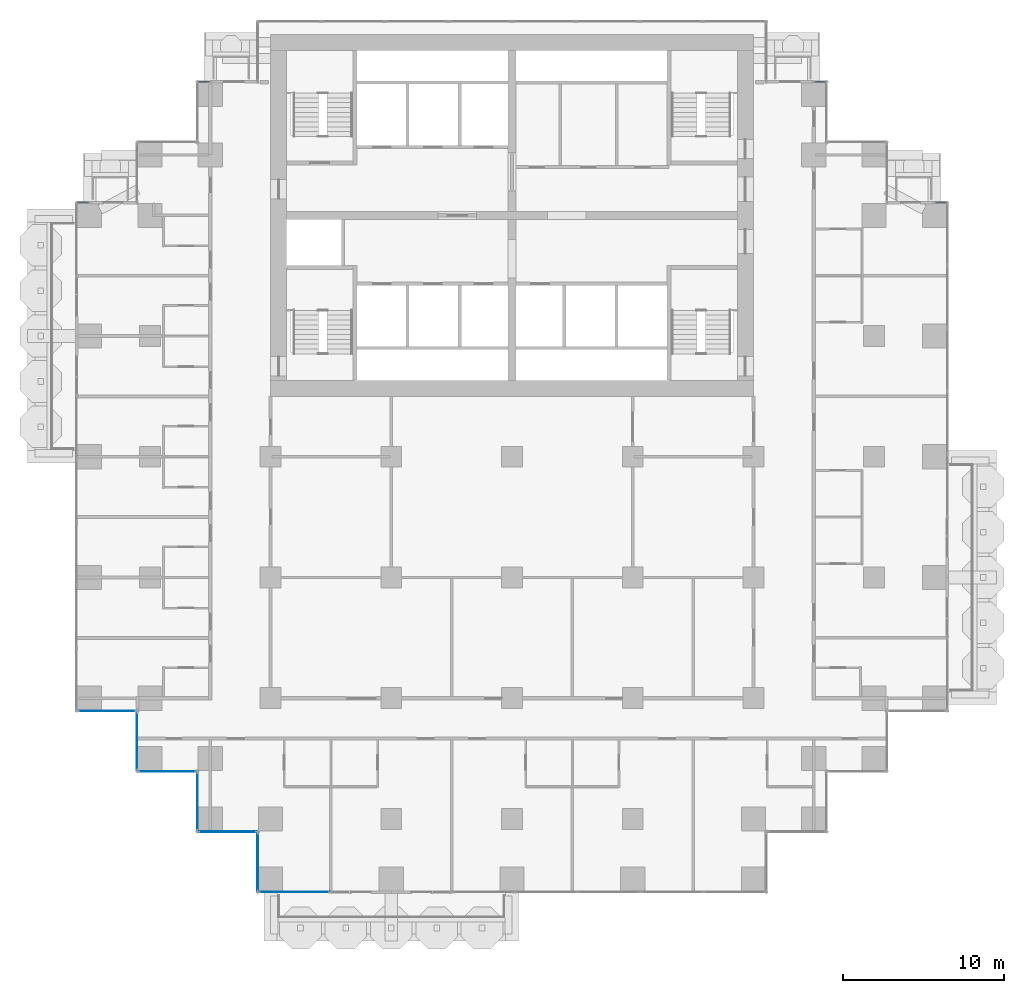
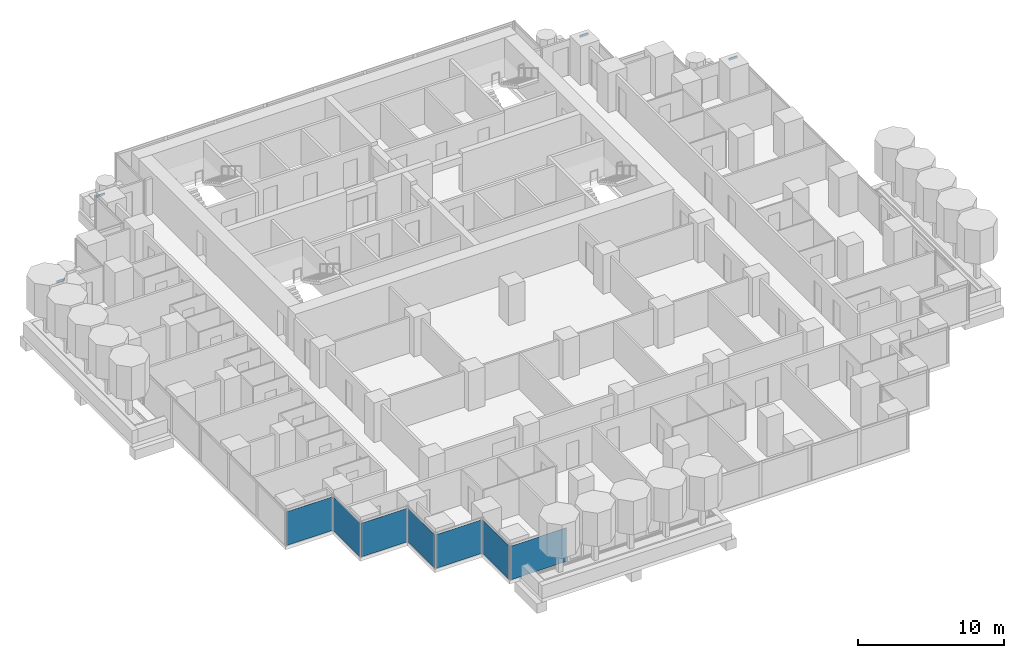
# One storey, part 7 of 18: 7 plates, 4 members, 11 elements without a shape of their own.
"""IFC4 building model written with IfcOpenShell, lengths in metres."""

from ifc_helpers import new_model, si_unit, direction, frame, origin, origin_2d, place, context, subcontext, project, spatial, rectangle, extrude, material, layer, layer_set, material_profile, profile_set, type_object, element, aggregate, save


model = new_model("IFC4")

# Units and contexts
model_context = context("Model", 3, precision=1e-05, world=origin(), true_north=direction((0.0, 1.0)))
body_context = subcontext(model_context, "Body", "Model", "MODEL_VIEW")
ifc_project = project(units=[si_unit("LENGTHUNIT", "METRE"), si_unit("AREAUNIT", "SQUARE_METRE"), si_unit("VOLUMEUNIT", "CUBIC_METRE"), si_unit("PLANEANGLEUNIT", "RADIAN"), si_unit("MASSUNIT", "GRAM", prefix="KILO")], contexts=[model_context])

# Site, building, storey
site_placement = place(None, origin())
site = spatial("IfcSite", under=ifc_project, at=site_placement, CompositionType="ELEMENT")
building_placement = place(site_placement, origin())
building = spatial("IfcBuilding", under=site, at=building_placement, Name="Pilkhan Gate Tower", CompositionType="ELEMENT")
storey_placement = place(building_placement, frame((0.0, 0.0, 75.800048828125)))
storey = spatial("IfcBuildingStorey", under=building, at=storey_placement, Name="L17", CompositionType="ELEMENT", Elevation=75.800048828125)

# Curtain wall, member
ifc_material_1 = material(Name="Pale anodised aluminium, clear low-iron double glazing", Category="aluminium")
curtain_wall_type = type_object("IfcCurtainWallType", Name="Hotel unitised curtain wall CW-H", PredefinedType="USERDEFINED", material=ifc_material_1)
curtain_wall_1_placement = place(storey_placement, origin())
curtain_wall_1 = element("IfcCurtainWall", 1, at=curtain_wall_1_placement, inside=storey, type_object=curtain_wall_type, Name="Hotel unitised curtain wall CW-H L17 N", ObjectType="UNITISED CURTAIN WALL", PredefinedType="USERDEFINED")
ifc_material_2 = material(Name="Pale anodised aluminium", Category="aluminium")
ifc_material_profile = material_profile(ifc_material_2, rectangle(XDim=0.06494140625, YDim=0.179931640625, at=origin_2d()), Name="Transom 180x65")
ifc_profile_set = profile_set([ifc_material_profile], Name="Pale anodised aluminium")
member_type = type_object("IfcMemberType", Name="Transom CW-H 180x65", PredefinedType="USERDEFINED", material=ifc_profile_set)
member_1_placement = place(storey_placement, frame((101.31494140625, 83.294921875, 2.909912109375), z_axis=(1.0, 0.0, 0.0), x_axis=(0.0, 1.0, 0.0)))
member_1 = element("IfcMember", 2, at=member_1_placement, type_object=member_type, Name="CW-H transom 1", ObjectType="TRANSOM", PredefinedType="USERDEFINED", context=body_context, shape_type="SweptSolid", body=[
    extrude(rectangle(XDim=0.06494140625, YDim=0.179931640625, at=origin_2d()), origin(), (0.0, 0.0, 1.0), 0.6650390625),
])
aggregate(curtain_wall_1, [member_1])

curtain_wall_2_placement = place(storey_placement, origin())
curtain_wall_2 = element("IfcCurtainWall", 3, at=curtain_wall_2_placement, inside=storey, type_object=curtain_wall_type, Name="Hotel unitised curtain wall CW-H L17 N", ObjectType="UNITISED CURTAIN WALL", PredefinedType="USERDEFINED")
member_2_placement = place(storey_placement, frame((93.81494140625, 90.794921875, 2.909912109375), z_axis=(1.0, 0.0, 0.0), x_axis=(0.0, 1.0, 0.0)))
member_2 = element("IfcMember", 4, at=member_2_placement, type_object=member_type, Name="CW-H transom 1", ObjectType="TRANSOM", PredefinedType="USERDEFINED", context=body_context, shape_type="SweptSolid", body=[
    extrude(rectangle(XDim=0.06494140625, YDim=0.179931640625, at=origin_2d()), origin(), (0.0, 0.0, 1.0), 0.6650390625),
])
aggregate(curtain_wall_2, [member_2])

curtain_wall_3_placement = place(storey_placement, origin())
curtain_wall_3 = element("IfcCurtainWall", 5, at=curtain_wall_3_placement, inside=storey, type_object=curtain_wall_type, Name="Hotel unitised curtain wall CW-H L17 N", ObjectType="UNITISED CURTAIN WALL", PredefinedType="USERDEFINED")
member_3_placement = place(storey_placement, frame((55.52001953125, 90.794921875, 2.909912109375), z_axis=(1.0, 0.0, 0.0), x_axis=(0.0, 1.0, 0.0)))
member_3 = element("IfcMember", 6, at=member_3_placement, type_object=member_type, Name="CW-H transom 1", ObjectType="TRANSOM", PredefinedType="USERDEFINED", context=body_context, shape_type="SweptSolid", body=[
    extrude(rectangle(XDim=0.06494140625, YDim=0.179931640625, at=origin_2d()), origin(), (0.0, 0.0, 1.0), 0.6650390625),
])
aggregate(curtain_wall_3, [member_3])

curtain_wall_4_placement = place(storey_placement, origin())
curtain_wall_4 = element("IfcCurtainWall", 7, at=curtain_wall_4_placement, inside=storey, type_object=curtain_wall_type, Name="Hotel unitised curtain wall CW-H L17 N", ObjectType="UNITISED CURTAIN WALL", PredefinedType="USERDEFINED")
member_4_placement = place(storey_placement, frame((48.02001953125, 83.294921875, 2.909912109375), z_axis=(1.0, 0.0, 0.0), x_axis=(0.0, 1.0, 0.0)))
member_4 = element("IfcMember", 8, at=member_4_placement, type_object=member_type, Name="CW-H transom 1", ObjectType="TRANSOM", PredefinedType="USERDEFINED", context=body_context, shape_type="SweptSolid", body=[
    extrude(rectangle(XDim=0.06494140625, YDim=0.179931640625, at=origin_2d()), origin(), (0.0, 0.0, 1.0), 0.6650390625),
])
aggregate(curtain_wall_4, [member_4])

# Curtain wall, plate
curtain_wall_5_placement = place(storey_placement, origin())
curtain_wall_5 = element("IfcCurtainWall", 9, at=curtain_wall_5_placement, inside=storey, type_object=curtain_wall_type, Name="Hotel unitised curtain wall CW-H L17 S", ObjectType="UNITISED CURTAIN WALL", PredefinedType="USERDEFINED")
ifc_material_3 = material(Name="Clear low-iron double glazing", Category="glass")
ifc_layer = layer(ifc_material_3, 0.035888671875)
ifc_layer_set = layer_set([ifc_layer], Name="Glass panel CW-H 36")
plate_type = type_object("IfcPlateType", Name="Glass panel CW-H 36", PredefinedType="CURTAIN_PANEL", material=ifc_layer_set)
plate_1_placement = place(storey_placement, frame((49.830078125, 51.705078125, 0.0), z_axis=(0.0, 0.0, 1.0), x_axis=(1.0, 0.0, 0.0)))
plate_1 = element("IfcPlate", 10, at=plate_1_placement, type_object=plate_type, Name="CW-H panel 1", PredefinedType="CURTAIN_PANEL", context=body_context, shape_type="SweptSolid", body=[
    extrude(rectangle(XDim=3.6201171875, YDim=0.035888671875, at=origin_2d()), origin(), (0.0, 0.0, 1.0), 2.820068359375),
])
aggregate(curtain_wall_5, [plate_1])

curtain_wall_6_placement = place(storey_placement, origin())
curtain_wall_6 = element("IfcCurtainWall", 11, at=curtain_wall_6_placement, inside=storey, type_object=curtain_wall_type, Name="Hotel unitised curtain wall CW-H L17 W", ObjectType="UNITISED CURTAIN WALL", PredefinedType="USERDEFINED")
plate_2_placement = place(storey_placement, frame((51.705078125, 49.830078125, 0.0), z_axis=(0.0, 0.0, 1.0), x_axis=(0.0, 1.0, 0.0)))
plate_2 = element("IfcPlate", 12, at=plate_2_placement, type_object=plate_type, Name="CW-H panel 1", PredefinedType="CURTAIN_PANEL", context=body_context, shape_type="SweptSolid", body=[
    extrude(rectangle(XDim=3.6201171875, YDim=0.035888671875, at=origin_2d()), origin(), (0.0, 0.0, 1.0), 2.820068359375),
])
aggregate(curtain_wall_6, [plate_2])

curtain_wall_7_placement = place(storey_placement, origin())
curtain_wall_7 = element("IfcCurtainWall", 13, at=curtain_wall_7_placement, inside=storey, type_object=curtain_wall_type, Name="Hotel unitised curtain wall CW-H L17 S", ObjectType="UNITISED CURTAIN WALL", PredefinedType="USERDEFINED")
plate_3_placement = place(storey_placement, frame((53.580078125, 47.955078125, 0.0), z_axis=(0.0, 0.0, 1.0), x_axis=(1.0, 0.0, 0.0)))
plate_3 = element("IfcPlate", 14, at=plate_3_placement, type_object=plate_type, Name="CW-H panel 1", PredefinedType="CURTAIN_PANEL", context=body_context, shape_type="SweptSolid", body=[
    extrude(rectangle(XDim=3.6201171875, YDim=0.035888671875, at=origin_2d()), origin(), (0.0, 0.0, 1.0), 2.820068359375),
])
aggregate(curtain_wall_7, [plate_3])

curtain_wall_8_placement = place(storey_placement, origin())
curtain_wall_8 = element("IfcCurtainWall", 15, at=curtain_wall_8_placement, inside=storey, type_object=curtain_wall_type, Name="Hotel unitised curtain wall CW-H L17 W", ObjectType="UNITISED CURTAIN WALL", PredefinedType="USERDEFINED")
plate_4_placement = place(storey_placement, frame((55.455078125, 46.080078125, 0.0), z_axis=(0.0, 0.0, 1.0), x_axis=(0.0, 1.0, 0.0)))
plate_4 = element("IfcPlate", 16, at=plate_4_placement, type_object=plate_type, Name="CW-H panel 1", PredefinedType="CURTAIN_PANEL", context=body_context, shape_type="SweptSolid", body=[
    extrude(rectangle(XDim=3.6201171875, YDim=0.035888671875, at=origin_2d()), origin(), (0.0, 0.0, 1.0), 2.820068359375),
])
aggregate(curtain_wall_8, [plate_4])

curtain_wall_9_placement = place(storey_placement, origin())
curtain_wall_9 = element("IfcCurtainWall", 17, at=curtain_wall_9_placement, inside=storey, type_object=curtain_wall_type, Name="Hotel unitised curtain wall CW-H L17 S", ObjectType="UNITISED CURTAIN WALL", PredefinedType="USERDEFINED")
plate_5_placement = place(storey_placement, frame((57.330078125, 44.205078125, 0.0), z_axis=(0.0, 0.0, 1.0), x_axis=(1.0, 0.0, 0.0)))
plate_5 = element("IfcPlate", 18, at=plate_5_placement, type_object=plate_type, Name="CW-H panel 1", PredefinedType="CURTAIN_PANEL", context=body_context, shape_type="SweptSolid", body=[
    extrude(rectangle(XDim=3.6201171875, YDim=0.035888671875, at=origin_2d()), origin(), (0.0, 0.0, 1.0), 2.820068359375),
])
aggregate(curtain_wall_9, [plate_5])

curtain_wall_10_placement = place(storey_placement, origin())
curtain_wall_10 = element("IfcCurtainWall", 19, at=curtain_wall_10_placement, inside=storey, type_object=curtain_wall_type, Name="Hotel unitised curtain wall CW-H L17 W", ObjectType="UNITISED CURTAIN WALL", PredefinedType="USERDEFINED")
plate_6_placement = place(storey_placement, frame((59.205078125, 42.330078125, 0.0), z_axis=(0.0, 0.0, 1.0), x_axis=(0.0, 1.0, 0.0)))
plate_6 = element("IfcPlate", 20, at=plate_6_placement, type_object=plate_type, Name="CW-H panel 1", PredefinedType="CURTAIN_PANEL", context=body_context, shape_type="SweptSolid", body=[
    extrude(rectangle(XDim=3.6201171875, YDim=0.035888671875, at=origin_2d()), origin(), (0.0, 0.0, 1.0), 2.820068359375),
])
aggregate(curtain_wall_10, [plate_6])

curtain_wall_11_placement = place(storey_placement, origin())
curtain_wall_11 = element("IfcCurtainWall", 21, at=curtain_wall_11_placement, inside=storey, type_object=curtain_wall_type, Name="Hotel unitised curtain wall CW-H L17 S", ObjectType="UNITISED CURTAIN WALL", PredefinedType="USERDEFINED")
plate_7_placement = place(storey_placement, frame((61.4775390625, 40.455078125, 0.0), z_axis=(0.0, 0.0, 1.0), x_axis=(1.0, 0.0, 0.0)))
plate_7 = element("IfcPlate", 22, at=plate_7_placement, type_object=plate_type, Name="CW-H panel 1", PredefinedType="CURTAIN_PANEL", context=body_context, shape_type="SweptSolid", body=[
    extrude(rectangle(XDim=4.4150390625, YDim=0.035888671875, at=origin_2d()), origin(), (0.0, 0.0, 1.0), 2.820068359375),
])
aggregate(curtain_wall_11, [plate_7])

save(model, "model.ifc")
